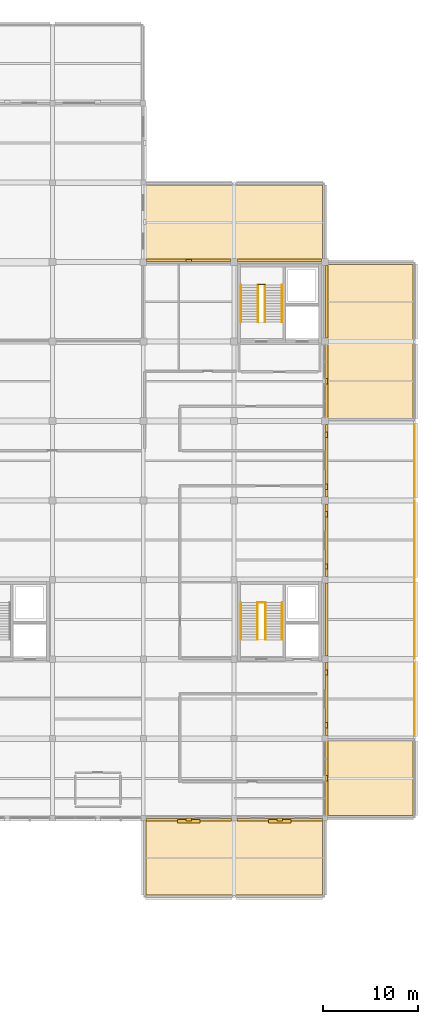
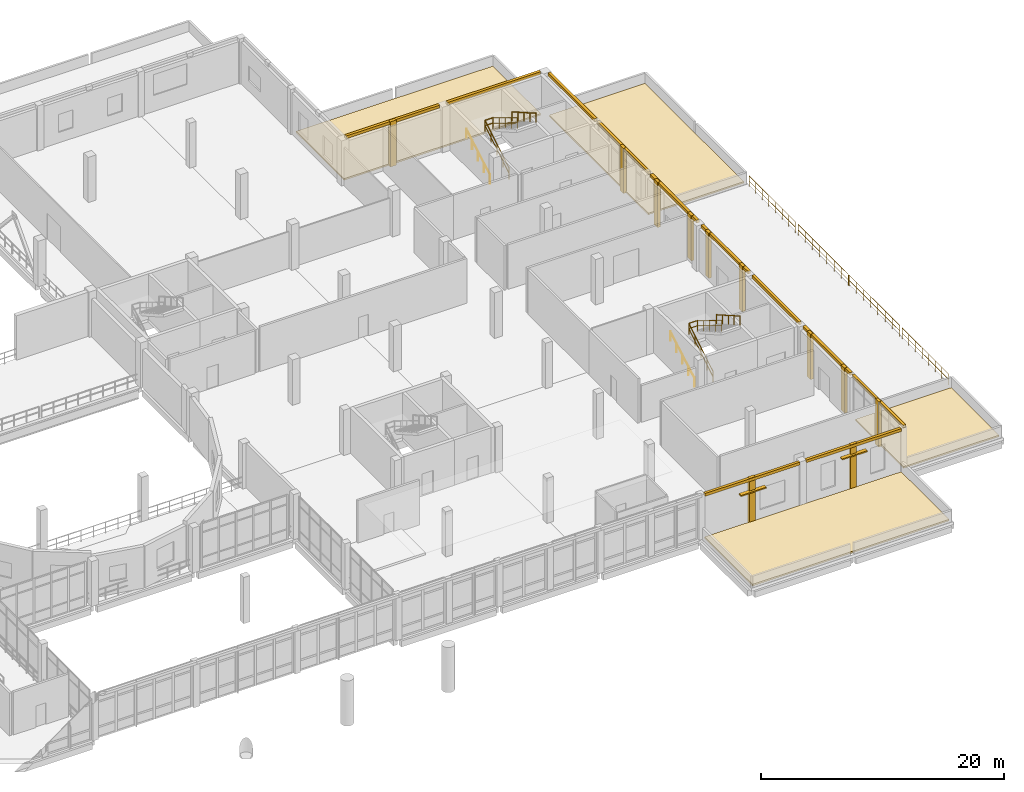
# One storey, part 88 of 88: 26 coverings, 14 railings, 2 shading devices.
"""IFC4 building model written with IfcOpenShell, lengths in metres."""

import ifcopenshell
import ifcopenshell.guid

model = None  # the IFC model being written
_history = None  # IfcOwnerHistory: only IFC2X3 demands one
_inside = {}  # id of a spatial element -> (the spatial element, [elements in it])
_under = {}  # id of a project, library or spatial element -> (it, [spatial elements below it])
_declared = {}  # id of a project -> (the project, [libraries it declares])
_typed = {}  # id of a type object -> (the type object, [elements of that type])
_made_of = {}  # id of a material, layer set ... -> (it, [elements and type objects made of it])


def new_model(schema):
    """Start an empty IFC model of exactly this schema.

    Asked for "IFC4X3", IfcOpenShell would pick the latest addendum, in which some entities
    have other attributes; the version numbers below select the first issue.
    IFC2X3 requires an IfcOwnerHistory on every rooted entity: one is made here for all.
    """
    global model, _history
    if schema == "IFC4X3":
        model = ifcopenshell.file(schema_version=(4, 3, 0, 0))
    else:
        model = ifcopenshell.file(schema=schema)
    _inside.clear()
    _under.clear()
    _declared.clear()
    _typed.clear()
    _made_of.clear()
    _history = None
    if model.schema == "IFC2X3":
        org = make("IfcOrganization", Name="unknown")
        user = make(
            "IfcPersonAndOrganization",
            ThePerson=make("IfcPerson", FamilyName="unknown"),
            TheOrganization=org,
        )
        app = make(
            "IfcApplication",
            ApplicationDeveloper=org,
            Version="unknown",
            ApplicationFullName="unknown",
            ApplicationIdentifier="unknown",
        )
        _history = make(
            "IfcOwnerHistory",
            OwningUser=user,
            OwningApplication=app,
            ChangeAction="ADDED",
            CreationDate=0,
        )
    return model


def make(cls, **values):
    """One entity of the class cls with the attributes given. An attribute that is None is left unset."""
    return model.create_entity(
        cls, **{name: value for name, value in values.items() if value is not None}
    )


def rooted(cls, **values):
    """An entity with a GlobalId (a new one), such as an element, a storey or a relation."""
    return make(cls, GlobalId=ifcopenshell.guid.new(), OwnerHistory=_history, **values)


def si_unit(unit_type, name, prefix=None):
    """IfcSIUnit, for example si_unit("LENGTHUNIT", "METRE", prefix="MILLI")."""
    return make("IfcSIUnit", UnitType=unit_type, Prefix=prefix, Name=name)


def assignment(units):
    """IfcUnitAssignment: the units of a project."""
    return None if units is None else make("IfcUnitAssignment", Units=units)


def point(xyz):
    """IfcCartesianPoint."""
    return None if xyz is None else make("IfcCartesianPoint", Coordinates=xyz)


def direction(xyz):
    """IfcDirection."""
    return None if xyz is None else make("IfcDirection", DirectionRatios=xyz)


def frame(location, z_axis=None, x_axis=None):
    """IfcAxis2Placement3D, a coordinate frame: its origin and axes. An axis left out is left unset."""
    return make(
        "IfcAxis2Placement3D",
        Location=point(location),
        Axis=direction(z_axis),
        RefDirection=direction(x_axis),
    )


def frame_2d(location, x_axis=None):
    """IfcAxis2Placement2D, a coordinate frame in the plane: its origin and x axis."""
    return make(
        "IfcAxis2Placement2D", Location=point(location), RefDirection=direction(x_axis)
    )


def origin():
    """The frame at (0, 0, 0) with its axes left unset."""
    return frame((0.0, 0.0, 0.0))


def origin_2d():
    """The frame at (0, 0) in the plane with its x axis left unset."""
    return frame_2d((0.0, 0.0))


def place(relative_to, where):
    """IfcLocalPlacement: puts the frame where relative to a parent placement (None: the world)."""
    return make(
        "IfcLocalPlacement", PlacementRelTo=relative_to, RelativePlacement=where
    )


def context(
    kind, dimensions, precision=None, world=None, true_north=None, identifier=None
):
    """IfcGeometricRepresentationContext, for example the 3D "Model" context."""
    return make(
        "IfcGeometricRepresentationContext",
        ContextIdentifier=identifier,
        ContextType=kind,
        CoordinateSpaceDimension=dimensions,
        Precision=precision,
        WorldCoordinateSystem=world,
        TrueNorth=true_north,
    )


def subcontext(parent, identifier, kind, view, scale=None):
    """IfcGeometricRepresentationSubContext, for example "Body" below "Model"."""
    return make(
        "IfcGeometricRepresentationSubContext",
        ContextIdentifier=identifier,
        ContextType=kind,
        ParentContext=parent,
        TargetScale=scale,
        TargetView=view,
    )


def project(units=None, contexts=None):
    """IfcProject with its units and contexts."""
    return rooted(
        "IfcProject",
        Name="project",
        RepresentationContexts=contexts,
        UnitsInContext=assignment(units),
    )


def spatial(cls, under=None, at=None, **own):
    """A site, building, storey or space (cls), placed at a placement, below another one or the project."""
    s = rooted(cls, ObjectPlacement=at, **own)
    if under is not None:
        _under.setdefault(under.id(), (under, []))[1].append(s)
    return s


def polyline(points):
    """IfcPolyline through the points."""
    return make("IfcPolyline", Points=[point(p) for p in points])


def profile(cls, at=None, kind="AREA", **sizes):
    """A parametric profile (cls). Its sizes go by their IFC names, for example OverallWidth=200.0."""
    return make(cls, ProfileType=kind, Position=at, **sizes)


def rectangle(**sizes):
    """IfcRectangleProfileDef."""
    return profile("IfcRectangleProfileDef", **sizes)


def circle(**sizes):
    """IfcCircleProfileDef."""
    return profile("IfcCircleProfileDef", **sizes)


def outline(outer, holes=None, kind="AREA"):
    """IfcArbitraryClosedProfileDef: a profile drawn as a closed curve; with holes, ...WithVoids."""
    if holes is None:
        return make("IfcArbitraryClosedProfileDef", ProfileType=kind, OuterCurve=outer)
    return make(
        "IfcArbitraryProfileDefWithVoids",
        ProfileType=kind,
        OuterCurve=outer,
        InnerCurves=holes,
    )


def extrude(swept, where, along, depth):
    """IfcExtrudedAreaSolid: the profile swept, set in the frame where, extruded along a direction by depth."""
    return make(
        "IfcExtrudedAreaSolid",
        SweptArea=swept,
        Position=where,
        ExtrudedDirection=direction(along),
        Depth=depth,
    )


def shape(context_of_items, identifier, shape_type, items):
    """IfcShapeRepresentation: the items that make up one representation, for example the "Body"."""
    return make(
        "IfcShapeRepresentation",
        ContextOfItems=context_of_items,
        RepresentationIdentifier=identifier,
        RepresentationType=shape_type,
        Items=items,
    )


def material(Name=None, Category=None):
    """IfcMaterial."""
    return make("IfcMaterial", Name=Name, Category=Category)


def layer(
    of_material, thickness, ventilated=None, Name=None, Category=None, Priority=None
):
    """IfcMaterialLayer: one layer of a wall or slab, of a material (None: an air gap)."""
    return make(
        "IfcMaterialLayer",
        Material=of_material,
        LayerThickness=thickness,
        IsVentilated=ventilated,
        Name=Name,
        Category=Category,
        Priority=Priority,
    )


def layer_set(layers, Name=None):
    """IfcMaterialLayerSet."""
    return make("IfcMaterialLayerSet", MaterialLayers=layers, LayerSetName=Name)


def made_of(thing, what):
    """Note that an element or type object is made of a material, layer set ...; save() writes the relation."""
    if what is not None:
        _made_of.setdefault(what.id(), (what, []))[1].append(thing)
    return thing


def type_object(cls, material=None, **own):
    """A type object (cls), such as IfcWallType, which elements share."""
    return made_of(rooted(cls, **own), material)


def element(
    cls,
    number,
    at=None,
    inside=None,
    cuts=None,
    type_object=None,
    material=None,
    context=None,
    identifier="Body",
    shape_type=None,
    held_by="IfcProductDefinitionShape",
    body=None,
    shapes=None,
    **own,
):
    """One element of the class cls, such as IfcWall. Its Tag is "e" and its number.

    at: its placement. inside: the storey or other place that contains it. cuts: it is an
    opening in that element (IfcRelVoidsElement). A single representation is given by context,
    identifier, shape_type and body (its items); several are given by shapes. held_by: the class
    of the entity that holds the representations. save() writes the other relations.
    """
    e = rooted(cls, Tag="e%d" % number, ObjectPlacement=at, **own)
    if body is not None:
        shapes = [shape(context, identifier, shape_type, body)]
    if shapes is not None:
        e.Representation = make(held_by, Representations=shapes)
    if inside is not None:
        _inside.setdefault(inside.id(), (inside, []))[1].append(e)
    if cuts is not None:
        rooted(
            "IfcRelVoidsElement", RelatingBuildingElement=cuts, RelatedOpeningElement=e
        )
    if type_object is not None:
        _typed.setdefault(type_object.id(), (type_object, []))[1].append(e)
    return made_of(e, material)


def aggregate(whole, parts):
    """IfcRelAggregates: a whole, such as a stair, and the parts it consists of."""
    return rooted("IfcRelAggregates", RelatingObject=whole, RelatedObjects=parts)


def save(model, path):
    """Write the relations noted so far, then the file.

    IfcRelAggregates (storeys below a building ...), IfcRelContainedInSpatialStructure (elements
    in a storey), IfcRelDefinesByType, IfcRelAssociatesMaterial and IfcRelDeclares: one each for
    every whole, place, type object, material and project.
    """
    for whole, parts in _under.values():
        aggregate(whole, parts)
    for where, things in _inside.values():
        rooted(
            "IfcRelContainedInSpatialStructure",
            RelatedElements=things,
            RelatingStructure=where,
        )
    for kind, things in _typed.values():
        rooted("IfcRelDefinesByType", RelatedObjects=things, RelatingType=kind)
    for what, things in _made_of.values():
        rooted("IfcRelAssociatesMaterial", RelatedObjects=things, RelatingMaterial=what)
    for by, libraries in _declared.values():
        rooted("IfcRelDeclares", RelatingContext=by, RelatedDefinitions=libraries)
    model.write(path)


model = new_model("IFC4")

# Units and contexts
model_context = context("Model", 3, precision=1e-05, world=origin(), true_north=direction((0.0, 1.0)))
body_context = subcontext(model_context, "Body", "Model", "MODEL_VIEW")
ifc_project = project(units=[si_unit("LENGTHUNIT", "METRE"), si_unit("AREAUNIT", "SQUARE_METRE"), si_unit("VOLUMEUNIT", "CUBIC_METRE"), si_unit("PLANEANGLEUNIT", "RADIAN"), si_unit("MASSUNIT", "GRAM", prefix="KILO")], contexts=[model_context])

# Site, building, storey
site_placement = place(None, origin())
site = spatial("IfcSite", under=ifc_project, at=site_placement, CompositionType="ELEMENT")
building_placement = place(site_placement, origin())
building = spatial("IfcBuilding", under=site, at=building_placement, Name="Lornevale Opera House", CompositionType="ELEMENT")
storey_placement = place(building_placement, frame((0.0, 0.0, 10.199951171875)))
storey = spatial("IfcBuildingStorey", under=building, at=storey_placement, Name="L03", CompositionType="ELEMENT", Elevation=10.199951171875)

# Coverings
ifc_material_1 = material(Name="Vegetated Extensive Green Roof Assembly")
ifc_layer_1 = layer(ifc_material_1, 0.159912109375)
ifc_layer_set_1 = layer_set([ifc_layer_1], Name="Vegetated Extensive Green Roof Assembly")
covering_type_1 = type_object("IfcCoveringType", Name="Chapter 492 Green Roof Covering", PredefinedType="ROOFING", material=ifc_layer_set_1)
covering_1_placement = place(storey_placement, origin())
element("IfcCovering", 1, at=covering_1_placement, inside=storey, type_object=covering_type_1, Name="Chapter 492 Green Roof Covering 0563", PredefinedType="ROOFING", context=body_context, shape_type="SweptSolid", body=[
    extrude(outline(polyline([(143.739990234375, 16.5400390625), (143.739990234375, 8.659912109375), (125.06005859375, 8.659912109375), (125.06005859375, 16.5400390625), (143.739990234375, 16.5400390625)])), origin(), (0.0, 0.0, 1.0), 0.16015625),
])
covering_2_placement = place(storey_placement, origin())
element("IfcCovering", 2, at=covering_2_placement, inside=storey, type_object=covering_type_1, Name="Chapter 492 Green Roof Covering 0564", PredefinedType="ROOFING", context=body_context, shape_type="SweptSolid", body=[
    extrude(outline(polyline([(144.260009765625, 17.06005859375), (144.260009765625, 24.93994140625), (153.340087890625, 24.93994140625), (153.340087890625, 17.06005859375), (144.260009765625, 17.06005859375)])), origin(), (0.0, 0.0, 1.0), 0.16015625),
])
covering_3_placement = place(storey_placement, origin())
element("IfcCovering", 3, at=covering_3_placement, inside=storey, type_object=covering_type_1, Name="Chapter 492 Green Roof Covering 0565", PredefinedType="ROOFING", context=body_context, shape_type="SweptSolid", body=[
    extrude(outline(polyline([(144.260009765625, 59.06005859375), (144.260009765625, 75.340087890625), (153.340087890625, 75.340087890625), (153.340087890625, 59.06005859375), (144.260009765625, 59.06005859375)])), origin(), (0.0, 0.0, 1.0), 0.16015625),
])
covering_4_placement = place(storey_placement, origin())
element("IfcCovering", 4, at=covering_4_placement, inside=storey, type_object=covering_type_1, Name="Chapter 492 Green Roof Covering 0566", PredefinedType="ROOFING", context=body_context, shape_type="SweptSolid", body=[
    extrude(outline(polyline([(143.739990234375, 75.860107421875), (125.06005859375, 75.860107421875), (125.06005859375, 83.739990234375), (143.739990234375, 83.739990234375), (143.739990234375, 75.860107421875)])), origin(), (0.0, 0.0, 1.0), 0.16015625),
])
ifc_material_2 = material(Name="Precast Concrete 40 MPa (CSA A23.1 C-1)", Category="concrete")
ifc_layer_2 = layer(ifc_material_2, 0.260009765625)
ifc_layer_set_2 = layer_set([ifc_layer_2], Name="Precast Concrete 40 MPa (CSA A23.1 C-1)")
covering_type_2 = type_object("IfcCoveringType", Name="Postmodern Sandstone Pilaster Rib", PredefinedType="CLADDING", material=ifc_layer_set_2)
covering_5_placement = place(storey_placement, origin())
element("IfcCovering", 5, at=covering_5_placement, inside=storey, type_object=covering_type_2, Name="Postmodern Sandstone Pilaster 0348", PredefinedType="CLADDING", context=body_context, shape_type="SweptSolid", body=[
    extrude(outline(polyline([(129.866943359375, 16.800048828125), (129.306884765625, 16.800048828125), (129.306884765625, 16.52001953125), (129.866943359375, 16.52001953125), (129.866943359375, 16.800048828125)])), origin(), (0.0, 0.0, 1.0), 4.5400390625),
])
covering_6_placement = place(storey_placement, origin())
element("IfcCovering", 6, at=covering_6_placement, inside=storey, type_object=covering_type_2, Name="Postmodern Sandstone Pilaster 0350", PredefinedType="CLADDING", context=body_context, shape_type="SweptSolid", body=[
    extrude(outline(polyline([(129.30810546875, 75.60009765625), (129.867919921875, 75.60009765625), (129.867919921875, 75.8798828125), (129.30810546875, 75.8798828125), (129.30810546875, 75.60009765625)])), origin(), (0.0, 0.0, 1.0), 4.5400390625),
])
covering_7_placement = place(storey_placement, origin())
element("IfcCovering", 7, at=covering_7_placement, inside=storey, type_object=covering_type_2, Name="Postmodern Sandstone Pilaster 0352", PredefinedType="CLADDING", context=body_context, shape_type="SweptSolid", body=[
    extrude(outline(polyline([(139.492919921875, 16.800048828125), (138.93310546875, 16.800048828125), (138.93310546875, 16.52001953125), (139.492919921875, 16.52001953125), (139.492919921875, 16.800048828125)])), origin(), (0.0, 0.0, 1.0), 4.5400390625),
])
covering_8_placement = place(storey_placement, origin())
element("IfcCovering", 8, at=covering_8_placement, inside=storey, type_object=covering_type_2, Name="Postmodern Sandstone Mullion Pier 0354", PredefinedType="CLADDING", context=body_context, shape_type="SweptSolid", body=[
    extrude(outline(polyline([(144.0, 21.280029296875), (144.0, 20.719970703125), (144.280029296875, 20.719970703125), (144.280029296875, 21.280029296875), (144.0, 21.280029296875)])), origin(), (0.0, 0.0, 1.0), 4.5400390625),
])
covering_9_placement = place(storey_placement, origin())
element("IfcCovering", 9, at=covering_9_placement, inside=storey, type_object=covering_type_2, Name="Postmodern Sandstone Pilaster 0356", PredefinedType="CLADDING", context=body_context, shape_type="SweptSolid", body=[
    extrude(outline(polyline([(144.0, 32.469970703125), (144.0, 31.909912109375), (144.280029296875, 31.909912109375), (144.280029296875, 32.469970703125), (144.0, 32.469970703125)])), origin(), (0.0, 0.0, 1.0), 4.5400390625),
])
covering_10_placement = place(storey_placement, origin())
element("IfcCovering", 10, at=covering_10_placement, inside=storey, type_object=covering_type_2, Name="Postmodern Sandstone Pilaster 0357", PredefinedType="CLADDING", context=body_context, shape_type="SweptSolid", body=[
    extrude(outline(polyline([(144.0, 26.889892578125), (144.0, 26.330078125), (144.280029296875, 26.330078125), (144.280029296875, 26.889892578125), (144.0, 26.889892578125)])), origin(), (0.0, 0.0, 1.0), 4.5400390625),
])
covering_11_placement = place(storey_placement, origin())
element("IfcCovering", 11, at=covering_11_placement, inside=storey, type_object=covering_type_2, Name="Postmodern Sandstone Pilaster 0360", PredefinedType="CLADDING", context=body_context, shape_type="SweptSolid", body=[
    extrude(outline(polyline([(144.0, 49.22705078125), (144.0, 48.6669921875), (144.280029296875, 48.6669921875), (144.280029296875, 49.22705078125), (144.0, 49.22705078125)])), origin(), (0.0, 0.0, 1.0), 4.5400390625),
])
covering_12_placement = place(storey_placement, origin())
element("IfcCovering", 12, at=covering_12_placement, inside=storey, type_object=covering_type_2, Name="Postmodern Sandstone Pilaster 0361", PredefinedType="CLADDING", context=body_context, shape_type="SweptSolid", body=[
    extrude(outline(polyline([(144.0, 43.68310546875), (144.0, 43.123046875), (144.280029296875, 43.123046875), (144.280029296875, 43.68310546875), (144.0, 43.68310546875)])), origin(), (0.0, 0.0, 1.0), 4.5400390625),
])
covering_13_placement = place(storey_placement, origin())
element("IfcCovering", 13, at=covering_13_placement, inside=storey, type_object=covering_type_2, Name="Postmodern Sandstone Pilaster 0363", PredefinedType="CLADDING", context=body_context, shape_type="SweptSolid", body=[
    extrude(outline(polyline([(144.0, 57.634033203125), (144.0, 57.073974609375), (144.280029296875, 57.073974609375), (144.280029296875, 57.634033203125), (144.0, 57.634033203125)])), origin(), (0.0, 0.0, 1.0), 4.5400390625),
])
covering_14_placement = place(storey_placement, origin())
element("IfcCovering", 14, at=covering_14_placement, inside=storey, type_object=covering_type_2, Name="Postmodern Sandstone Pilaster 0364", PredefinedType="CLADDING", context=body_context, shape_type="SweptSolid", body=[
    extrude(outline(polyline([(144.0, 52.1259765625), (144.0, 51.56591796875), (144.280029296875, 51.56591796875), (144.280029296875, 52.1259765625), (144.0, 52.1259765625)])), origin(), (0.0, 0.0, 1.0), 4.5400390625),
])
covering_15_placement = place(storey_placement, origin())
element("IfcCovering", 15, at=covering_15_placement, inside=storey, type_object=covering_type_2, Name="Postmodern Sandstone Mullion Pier 0366", PredefinedType="CLADDING", context=body_context, shape_type="SweptSolid", body=[
    extrude(outline(polyline([(144.0, 63.280029296875), (144.0, 62.719970703125), (144.280029296875, 62.719970703125), (144.280029296875, 63.280029296875), (144.0, 63.280029296875)])), origin(), (0.0, 0.0, 1.0), 4.5400390625),
])

# Shading devices
ifc_material_3 = material(Name="Architectural Bronze Solar Louvre Alloy", Category="metal")
ifc_layer_3 = layer(ifc_material_3, 0.1201171875)
ifc_layer_set_3 = layer_set([ifc_layer_3], Name="Architectural Bronze Solar Louvre Alloy")
shading_device_type = type_object("IfcShadingDeviceType", Name="Postmodern Solar Brise-Soleil", PredefinedType="JALOUSIE", material=ifc_layer_set_3)
for number, where, z_axis, x_axis, name in (
    (16, (129.587890625, 16.488037109375, 3.169921875), (0.0, 0.0, 1.0), (1.0, 0.0, 0.0), "Postmodern Solar Brise-Soleil SH-003"),
    (17, (139.2119140625, 16.488037109375, 3.469970703125), (0.0, 0.0, 1.0), (1.0, 0.0, 0.0), "Postmodern Solar Brise-Soleil SH-004"),
):
    element("IfcShadingDevice", number, at=place(storey_placement, frame(where, z_axis=z_axis, x_axis=x_axis)), inside=storey, type_object=shading_device_type, Name=name, PredefinedType="JALOUSIE", context=body_context, shape_type="SweptSolid", body=[
        extrude(rectangle(XDim=2.39990234375, YDim=0.360107421875, at=origin_2d()), origin(), (0.0, 0.0, 1.0), 0.1201171875),
    ])

# Coverings
ifc_material_4 = material(Name="Queenston Buff Limestone Ashlar Masonry (25 MPa)", Category="masonry")
ifc_layer_4 = layer(ifc_material_4, 0.1201171875)
ifc_layer_set_4 = layer_set([ifc_layer_4], Name="Queenston Buff Limestone Ashlar Masonry (25 MPa)")
covering_type_3 = type_object("IfcCoveringType", Name="Precast Limestone Cornice Band", PredefinedType="CLADDING", material=ifc_layer_set_4)
covering_16_placement = place(storey_placement, frame((0.0, 0.0, 4.260009765625)))
element("IfcCovering", 18, at=covering_16_placement, inside=storey, type_object=covering_type_3, Name="Precast Limestone Cornice Band 0349", PredefinedType="CLADDING", context=body_context, shape_type="SweptSolid", body=[
    extrude(outline(polyline([(134.10009765625, 16.739990234375), (125.074951171875, 16.739990234375), (125.074951171875, 16.47998046875), (134.10009765625, 16.47998046875), (134.10009765625, 16.739990234375)])), origin(), (0.0, 0.0, 1.0), 0.280029296875),
])
covering_17_placement = place(storey_placement, frame((0.0, 0.0, 4.260009765625)))
element("IfcCovering", 19, at=covering_17_placement, inside=storey, type_object=covering_type_3, Name="Precast Limestone Cornice Band 0351", PredefinedType="CLADDING", context=body_context, shape_type="SweptSolid", body=[
    extrude(outline(polyline([(125.14990234375, 75.659912109375), (134.02490234375, 75.659912109375), (134.02490234375, 75.919921875), (125.14990234375, 75.919921875), (125.14990234375, 75.659912109375)])), origin(), (0.0, 0.0, 1.0), 0.280029296875),
])
covering_18_placement = place(storey_placement, frame((0.0, 0.0, 4.260009765625)))
element("IfcCovering", 20, at=covering_18_placement, inside=storey, type_object=covering_type_3, Name="Precast Limestone Cornice Band 0353", PredefinedType="CLADDING", context=body_context, shape_type="SweptSolid", body=[
    extrude(outline(polyline([(143.72509765625, 16.739990234375), (134.699951171875, 16.739990234375), (134.699951171875, 16.47998046875), (143.72509765625, 16.47998046875), (143.72509765625, 16.739990234375)])), origin(), (0.0, 0.0, 1.0), 0.280029296875),
])
covering_19_placement = place(storey_placement, frame((0.0, 0.0, 4.280029296875)))
element("IfcCovering", 21, at=covering_19_placement, inside=storey, type_object=covering_type_3, Name="Precast Limestone Cornice Band 0355", PredefinedType="CLADDING", context=body_context, shape_type="SweptSolid", body=[
    extrude(outline(polyline([(144.080078125, 25.199951171875), (144.080078125, 16.800048828125), (144.320068359375, 16.800048828125), (144.320068359375, 25.199951171875), (144.080078125, 25.199951171875)])), origin(), (0.0, 0.0, 1.0), 0.260009765625),
])
covering_20_placement = place(storey_placement, frame((0.0, 0.0, 4.260009765625)))
element("IfcCovering", 22, at=covering_20_placement, inside=storey, type_object=covering_type_3, Name="Precast Limestone Cornice Band 0358", PredefinedType="CLADDING", context=body_context, shape_type="SweptSolid", body=[
    extrude(outline(polyline([(144.06005859375, 33.27490234375), (144.06005859375, 25.52490234375), (144.320068359375, 25.52490234375), (144.320068359375, 33.27490234375), (144.06005859375, 33.27490234375)])), origin(), (0.0, 0.0, 1.0), 0.280029296875),
])
covering_21_placement = place(storey_placement, frame((0.0, 0.0, 4.260009765625)))
element("IfcCovering", 23, at=covering_21_placement, inside=storey, type_object=covering_type_3, Name="Precast Limestone Cornice Band 0359", PredefinedType="CLADDING", context=body_context, shape_type="SweptSolid", body=[
    extrude(outline(polyline([(144.06005859375, 41.675048828125), (144.06005859375, 33.925048828125), (144.320068359375, 33.925048828125), (144.320068359375, 41.675048828125), (144.06005859375, 41.675048828125)])), origin(), (0.0, 0.0, 1.0), 0.280029296875),
])
covering_22_placement = place(storey_placement, frame((0.0, 0.0, 4.260009765625)))
element("IfcCovering", 24, at=covering_22_placement, inside=storey, type_object=covering_type_3, Name="Precast Limestone Cornice Band 0362", PredefinedType="CLADDING", context=body_context, shape_type="SweptSolid", body=[
    extrude(outline(polyline([(144.06005859375, 50.02490234375), (144.06005859375, 42.324951171875), (144.320068359375, 42.324951171875), (144.320068359375, 50.02490234375), (144.06005859375, 50.02490234375)])), origin(), (0.0, 0.0, 1.0), 0.280029296875),
])
covering_23_placement = place(storey_placement, frame((0.0, 0.0, 4.260009765625)))
element("IfcCovering", 25, at=covering_23_placement, inside=storey, type_object=covering_type_3, Name="Precast Limestone Cornice Band 0365", PredefinedType="CLADDING", context=body_context, shape_type="SweptSolid", body=[
    extrude(outline(polyline([(144.06005859375, 58.425048828125), (144.06005859375, 50.77490234375), (144.320068359375, 50.77490234375), (144.320068359375, 58.425048828125), (144.06005859375, 58.425048828125)])), origin(), (0.0, 0.0, 1.0), 0.280029296875),
])
covering_24_placement = place(storey_placement, frame((0.0, 0.0, 4.280029296875)))
element("IfcCovering", 26, at=covering_24_placement, inside=storey, type_object=covering_type_3, Name="Precast Limestone Cornice Band 0367", PredefinedType="CLADDING", context=body_context, shape_type="SweptSolid", body=[
    extrude(outline(polyline([(144.080078125, 67.199951171875), (144.080078125, 58.800048828125), (144.320068359375, 58.800048828125), (144.320068359375, 67.199951171875), (144.080078125, 67.199951171875)])), origin(), (0.0, 0.0, 1.0), 0.260009765625),
])
covering_25_placement = place(storey_placement, frame((0.0, 0.0, 4.260009765625)))
element("IfcCovering", 27, at=covering_25_placement, inside=storey, type_object=covering_type_3, Name="Precast Limestone Cornice Band 0368", PredefinedType="CLADDING", context=body_context, shape_type="SweptSolid", body=[
    extrude(outline(polyline([(134.77490234375, 75.659912109375), (143.625, 75.659912109375), (143.625, 75.919921875), (134.77490234375, 75.919921875), (134.77490234375, 75.659912109375)])), origin(), (0.0, 0.0, 1.0), 0.280029296875),
])
covering_26_placement = place(storey_placement, frame((0.0, 0.0, 4.260009765625)))
element("IfcCovering", 28, at=covering_26_placement, inside=storey, type_object=covering_type_3, Name="Precast Limestone Cornice Band 0369", PredefinedType="CLADDING", context=body_context, shape_type="SweptSolid", body=[
    extrude(outline(polyline([(144.06005859375, 75.22509765625), (144.06005859375, 67.574951171875), (144.320068359375, 67.574951171875), (144.320068359375, 75.22509765625), (144.06005859375, 75.22509765625)])), origin(), (0.0, 0.0, 1.0), 0.280029296875),
])

# Railings
ifc_material_5 = material(Name="Structural Steel CSA G40.21 Grade 350W (350 MPa)", Category="steel")
ifc_layer_5 = layer(ifc_material_5, 0.050048828125)
ifc_layer_set_5 = layer_set([ifc_layer_5], Name="Structural Steel CSA G40.21 Grade 350W (350 MPa)")
railing_type_1 = type_object("IfcRailingType", Name="Stair Well Guardrail 1100", PredefinedType="GUARDRAIL", material=ifc_layer_set_5)
railing_1_placement = place(storey_placement, frame((136.919921875, 69.260009765625, 0.0)))
element("IfcRailing", 29, at=railing_1_placement, inside=storey, type_object=railing_type_1, Name="ST-32 Inner Well Guard F1", PredefinedType="GUARDRAIL", context=body_context, shape_type="SweptSolid", body=[
    extrude(circle(Radius=0.02392578125, at=origin_2d()), frame((0.0, 0.0, 1.076171875), z_axis=(0.0, 0.852832477147, 0.522184609045), x_axis=(-1.0, 0.0, 0.0)), (0.0, 0.0, 1.0), 4.596435546875),
    extrude(circle(Radius=0.02392578125, at=origin_2d()), frame((0.0, 0.0, 0.550048828125), z_axis=(0.0, 0.852832477147, 0.522184609045), x_axis=(-1.0, 0.0, 0.0)), (0.0, 0.0, 1.0), 4.596435546875),
    extrude(circle(Radius=0.02099609375, at=origin_2d()), origin(), (0.0, 0.0, 1.0), 1.052001953125),
    extrude(circle(Radius=0.02099609375, at=origin_2d()), frame((0.0, 0.97998046875, 0.60009765625)), (0.0, 0.0, 1.0), 1.052001953125),
    extrude(circle(Radius=0.02099609375, at=origin_2d()), frame((0.0, 1.9599609375, 1.2001953125)), (0.0, 0.0, 1.0), 1.052001953125),
    extrude(circle(Radius=0.02099609375, at=origin_2d()), frame((0.0, 2.93994140625, 1.800048828125)), (0.0, 0.0, 1.0), 1.052001953125),
    extrude(circle(Radius=0.02099609375, at=origin_2d()), frame((0.0, 3.919921875, 2.400146484375)), (0.0, 0.0, 1.0), 1.052001953125),
])
railing_2_placement = place(storey_placement, frame((137.679931640625, 73.179931640625, 2.400146484375)))
element("IfcRailing", 30, at=railing_2_placement, inside=storey, type_object=railing_type_1, Name="ST-32 Inner Well Guard F2", PredefinedType="GUARDRAIL", context=body_context, shape_type="SweptSolid", body=[
    extrude(circle(Radius=0.02392578125, at=origin_2d()), frame((0.0, 0.0, 1.076171875), z_axis=(0.0, -0.852856131449, 0.522145974847), x_axis=(1.0, 0.0, 0.0)), (0.0, 0.0, 1.0), 4.59619140625),
    extrude(circle(Radius=0.02392578125, at=origin_2d()), frame((0.0, 0.0, 0.550048828125), z_axis=(0.0, -0.852856131449, 0.522145974847), x_axis=(1.0, 0.0, 0.0)), (0.0, 0.0, 1.0), 4.59619140625),
    extrude(circle(Radius=0.02099609375, at=origin_2d()), origin(), (0.0, 0.0, 1.0), 1.052001953125),
    extrude(circle(Radius=0.02099609375, at=origin_2d()), frame((0.0, -0.97998046875, 0.60009765625)), (0.0, 0.0, 1.0), 1.052001953125),
    extrude(circle(Radius=0.02099609375, at=origin_2d()), frame((0.0, -1.9599609375, 1.199951171875)), (0.0, 0.0, 1.0), 1.052001953125),
    extrude(circle(Radius=0.02099609375, at=origin_2d()), frame((0.0, -2.93994140625, 1.7998046875)), (0.0, 0.0, 1.0), 1.052001953125),
    extrude(circle(Radius=0.02099609375, at=origin_2d()), frame((0.0, -3.919921875, 2.39990234375)), (0.0, 0.0, 1.0), 1.052001953125),
])
railing_3_placement = place(storey_placement, frame((136.919921875, 73.2099609375, 2.400146484375)))
element("IfcRailing", 31, at=railing_3_placement, inside=storey, type_object=railing_type_1, Name="ST-32 Half-Landing Slot Guard", PredefinedType="GUARDRAIL", context=body_context, shape_type="SweptSolid", body=[
    extrude(circle(Radius=0.02392578125, at=origin_2d()), frame((0.0, 0.0, 1.076171875), z_axis=(1.0, 0.0, 0.0), x_axis=(0.0, 1.0, 0.0)), (0.0, 0.0, 1.0), 0.760009765625),
    extrude(circle(Radius=0.02392578125, at=origin_2d()), frame((0.0, 0.0, 0.550048828125), z_axis=(1.0, 0.0, 0.0), x_axis=(0.0, 1.0, 0.0)), (0.0, 0.0, 1.0), 0.760009765625),
    extrude(circle(Radius=0.02099609375, at=origin_2d()), origin(), (0.0, 0.0, 1.0), 1.052001953125),
    extrude(circle(Radius=0.02099609375, at=origin_2d()), frame((0.760009765625, 0.0, 0.0)), (0.0, 0.0, 1.0), 1.052001953125),
])
railing_4_placement = place(storey_placement, frame((136.8798828125, 35.659912109375, 0.0)))
element("IfcRailing", 32, at=railing_4_placement, inside=storey, type_object=railing_type_1, Name="ST-39 Inner Well Guard F1", PredefinedType="GUARDRAIL", context=body_context, shape_type="SweptSolid", body=[
    extrude(circle(Radius=0.02392578125, at=origin_2d()), frame((0.0, 0.0, 1.076171875), z_axis=(0.0, 0.852846959695, 0.522160955394), x_axis=(-1.0, 0.0, 0.0)), (0.0, 0.0, 1.0), 4.5966796875),
    extrude(circle(Radius=0.02392578125, at=origin_2d()), frame((0.0, 0.0, 0.550048828125), z_axis=(0.0, 0.852846959695, 0.522160955394), x_axis=(-1.0, 0.0, 0.0)), (0.0, 0.0, 1.0), 4.5966796875),
    extrude(circle(Radius=0.02099609375, at=origin_2d()), origin(), (0.0, 0.0, 1.0), 1.052001953125),
    extrude(circle(Radius=0.02099609375, at=origin_2d()), frame((0.0, 0.97998046875, 0.60009765625)), (0.0, 0.0, 1.0), 1.052001953125),
    extrude(circle(Radius=0.02099609375, at=origin_2d()), frame((0.0, 1.9599609375, 1.2001953125)), (0.0, 0.0, 1.0), 1.052001953125),
    extrude(circle(Radius=0.02099609375, at=origin_2d()), frame((0.0, 2.940185546875, 1.800048828125)), (0.0, 0.0, 1.0), 1.052001953125),
    extrude(circle(Radius=0.02099609375, at=origin_2d()), frame((0.0, 3.920166015625, 2.400146484375)), (0.0, 0.0, 1.0), 1.052001953125),
])
railing_5_placement = place(storey_placement, frame((137.719970703125, 39.580078125, 2.400146484375)))
element("IfcRailing", 33, at=railing_5_placement, inside=storey, type_object=railing_type_1, Name="ST-39 Inner Well Guard F2", PredefinedType="GUARDRAIL", context=body_context, shape_type="SweptSolid", body=[
    extrude(circle(Radius=0.02392578125, at=origin_2d()), frame((0.0, 0.0, 1.076171875), z_axis=(0.0, -0.852870612257, 0.522122321634), x_axis=(1.0, 0.0, 0.0)), (0.0, 0.0, 1.0), 4.596435546875),
    extrude(circle(Radius=0.02392578125, at=origin_2d()), frame((0.0, 0.0, 0.550048828125), z_axis=(0.0, -0.852870612257, 0.522122321634), x_axis=(1.0, 0.0, 0.0)), (0.0, 0.0, 1.0), 4.596435546875),
    extrude(circle(Radius=0.02099609375, at=origin_2d()), origin(), (0.0, 0.0, 1.0), 1.052001953125),
    extrude(circle(Radius=0.02099609375, at=origin_2d()), frame((0.0, -0.97998046875, 0.60009765625)), (0.0, 0.0, 1.0), 1.052001953125),
    extrude(circle(Radius=0.02099609375, at=origin_2d()), frame((0.0, -1.9599609375, 1.199951171875)), (0.0, 0.0, 1.0), 1.052001953125),
    extrude(circle(Radius=0.02099609375, at=origin_2d()), frame((0.0, -2.940185546875, 1.7998046875)), (0.0, 0.0, 1.0), 1.052001953125),
    extrude(circle(Radius=0.02099609375, at=origin_2d()), frame((0.0, -3.920166015625, 2.39990234375)), (0.0, 0.0, 1.0), 1.052001953125),
])
railing_6_placement = place(storey_placement, frame((136.8798828125, 39.610107421875, 2.400146484375)))
element("IfcRailing", 34, at=railing_6_placement, inside=storey, type_object=railing_type_1, Name="ST-39 Half-Landing Slot Guard", PredefinedType="GUARDRAIL", context=body_context, shape_type="SweptSolid", body=[
    extrude(circle(Radius=0.02392578125, at=origin_2d()), frame((0.0, 0.0, 1.076171875), z_axis=(1.0, 0.0, 0.0), x_axis=(0.0, 1.0, 0.0)), (0.0, 0.0, 1.0), 0.840087890625),
    extrude(circle(Radius=0.02392578125, at=origin_2d()), frame((0.0, 0.0, 0.550048828125), z_axis=(1.0, 0.0, 0.0), x_axis=(0.0, 1.0, 0.0)), (0.0, 0.0, 1.0), 0.840087890625),
    extrude(circle(Radius=0.02099609375, at=origin_2d()), origin(), (0.0, 0.0, 1.0), 1.052001953125),
    extrude(circle(Radius=0.02099609375, at=origin_2d()), frame((0.840087890625, 0.0, 0.0)), (0.0, 0.0, 1.0), 1.052001953125),
])
ifc_layer_6 = layer(ifc_material_5, 0.06005859375)
ifc_layer_set_6 = layer_set([ifc_layer_6], Name="Structural Steel CSA G40.21 Grade 350W (350 MPa)")
railing_type_2 = type_object("IfcRailingType", Name="Terrace Tubular Guardrail 1120", PredefinedType="GUARDRAIL", material=ifc_layer_set_6)
railing_7_placement = place(storey_placement, frame((153.4599609375, 25.580078125, 0.0)))
element("IfcRailing", 35, at=railing_7_placement, inside=storey, type_object=railing_type_2, Name="Terrace Perimeter Guard L03 0344", PredefinedType="GUARDRAIL", context=body_context, shape_type="SweptSolid", body=[
    extrude(circle(Radius=0.02392578125, at=origin_2d()), frame((0.0, 0.0, 1.09619140625), z_axis=(0.0, 1.0, 0.0), x_axis=(-1.0, 0.0, 0.0)), (0.0, 0.0, 1.0), 7.639892578125),
    extrude(circle(Radius=0.02392578125, at=origin_2d()), frame((0.0, 0.0, 0.56005859375), z_axis=(0.0, 1.0, 0.0), x_axis=(-1.0, 0.0, 0.0)), (0.0, 0.0, 1.0), 7.639892578125),
    extrude(circle(Radius=0.02099609375, at=origin_2d()), origin(), (0.0, 0.0, 1.0), 1.072021484375),
    extrude(circle(Radius=0.02099609375, at=origin_2d()), frame((0.0, 1.09130859375, 0.0)), (0.0, 0.0, 1.0), 1.072021484375),
    extrude(circle(Radius=0.02099609375, at=origin_2d()), frame((0.0, 2.182861328125, 0.0)), (0.0, 0.0, 1.0), 1.072021484375),
    extrude(circle(Radius=0.02099609375, at=origin_2d()), frame((0.0, 3.274169921875, 0.0)), (0.0, 0.0, 1.0), 1.072021484375),
    extrude(circle(Radius=0.02099609375, at=origin_2d()), frame((0.0, 4.36572265625, 0.0)), (0.0, 0.0, 1.0), 1.072021484375),
    extrude(circle(Radius=0.02099609375, at=origin_2d()), frame((0.0, 5.45703125, 0.0)), (0.0, 0.0, 1.0), 1.072021484375),
    extrude(circle(Radius=0.02099609375, at=origin_2d()), frame((0.0, 6.548583984375, 0.0)), (0.0, 0.0, 1.0), 1.072021484375),
    extrude(circle(Radius=0.02099609375, at=origin_2d()), frame((0.0, 7.639892578125, 0.0)), (0.0, 0.0, 1.0), 1.072021484375),
])
for number, where, name in (
    (36, (153.4599609375, 33.64990234375, 0.0), "Terrace Perimeter Guard L03 0345"),
    (37, (153.4599609375, 42.050048828125, 0.0), "Terrace Perimeter Guard L03 0346"),
):
    element("IfcRailing", number, at=place(storey_placement, frame(where)), inside=storey, type_object=railing_type_2, Name=name, PredefinedType="GUARDRAIL", context=body_context, shape_type="SweptSolid", body=[
        extrude(circle(Radius=0.02392578125, at=origin_2d()), frame((0.0, 0.0, 1.09619140625), z_axis=(0.0, 1.0, 0.0), x_axis=(-1.0, 0.0, 0.0)), (0.0, 0.0, 1.0), 8.300048828125),
        extrude(circle(Radius=0.02392578125, at=origin_2d()), frame((0.0, 0.0, 0.56005859375), z_axis=(0.0, 1.0, 0.0), x_axis=(-1.0, 0.0, 0.0)), (0.0, 0.0, 1.0), 8.300048828125),
        extrude(circle(Radius=0.02099609375, at=origin_2d()), origin(), (0.0, 0.0, 1.0), 1.072021484375),
        extrude(circle(Radius=0.02099609375, at=origin_2d()), frame((0.0, 1.185791015625, 0.0)), (0.0, 0.0, 1.0), 1.072021484375),
        extrude(circle(Radius=0.02099609375, at=origin_2d()), frame((0.0, 2.371337890625, 0.0)), (0.0, 0.0, 1.0), 1.072021484375),
        extrude(circle(Radius=0.02099609375, at=origin_2d()), frame((0.0, 3.55712890625, 0.0)), (0.0, 0.0, 1.0), 1.072021484375),
        extrude(circle(Radius=0.02099609375, at=origin_2d()), frame((0.0, 4.742919921875, 0.0)), (0.0, 0.0, 1.0), 1.072021484375),
        extrude(circle(Radius=0.02099609375, at=origin_2d()), frame((0.0, 5.9287109375, 0.0)), (0.0, 0.0, 1.0), 1.072021484375),
        extrude(circle(Radius=0.02099609375, at=origin_2d()), frame((0.0, 7.1142578125, 0.0)), (0.0, 0.0, 1.0), 1.072021484375),
        extrude(circle(Radius=0.02099609375, at=origin_2d()), frame((0.0, 8.300048828125, 0.0)), (0.0, 0.0, 1.0), 1.072021484375),
    ])
railing_8_placement = place(storey_placement, frame((153.4599609375, 50.780029296875, 0.0)))
element("IfcRailing", 38, at=railing_8_placement, inside=storey, type_object=railing_type_2, Name="Terrace Perimeter Guard L03 0347", PredefinedType="GUARDRAIL", context=body_context, shape_type="SweptSolid", body=[
    extrude(circle(Radius=0.02392578125, at=origin_2d()), frame((0.0, 0.0, 1.09619140625), z_axis=(0.0, 1.0, 0.0), x_axis=(-1.0, 0.0, 0.0)), (0.0, 0.0, 1.0), 7.639892578125),
    extrude(circle(Radius=0.02392578125, at=origin_2d()), frame((0.0, 0.0, 0.56005859375), z_axis=(0.0, 1.0, 0.0), x_axis=(-1.0, 0.0, 0.0)), (0.0, 0.0, 1.0), 7.639892578125),
    extrude(circle(Radius=0.02099609375, at=origin_2d()), origin(), (0.0, 0.0, 1.0), 1.072021484375),
    extrude(circle(Radius=0.02099609375, at=origin_2d()), frame((0.0, 1.09130859375, 0.0)), (0.0, 0.0, 1.0), 1.072021484375),
    extrude(circle(Radius=0.02099609375, at=origin_2d()), frame((0.0, 2.182861328125, 0.0)), (0.0, 0.0, 1.0), 1.072021484375),
    extrude(circle(Radius=0.02099609375, at=origin_2d()), frame((0.0, 3.274169921875, 0.0)), (0.0, 0.0, 1.0), 1.072021484375),
    extrude(circle(Radius=0.02099609375, at=origin_2d()), frame((0.0, 4.36572265625, 0.0)), (0.0, 0.0, 1.0), 1.072021484375),
    extrude(circle(Radius=0.02099609375, at=origin_2d()), frame((0.0, 5.45703125, 0.0)), (0.0, 0.0, 1.0), 1.072021484375),
    extrude(circle(Radius=0.02099609375, at=origin_2d()), frame((0.0, 6.548583984375, 0.0)), (0.0, 0.0, 1.0), 1.072021484375),
    extrude(circle(Radius=0.02099609375, at=origin_2d()), frame((0.0, 7.639892578125, 0.0)), (0.0, 0.0, 1.0), 1.072021484375),
])
ifc_layer_7 = layer(ifc_material_5, 0.048095703125)
ifc_layer_set_7 = layer_set([ifc_layer_7], Name="Structural Steel CSA G40.21 Grade 350W (350 MPa)")
railing_type_3 = type_object("IfcRailingType", Name="Tubular Stair Handrail 915", PredefinedType="HANDRAIL", material=ifc_layer_set_7)
railing_9_placement = place(storey_placement, frame((135.1201171875, 69.260009765625, 0.1630859375)))
element("IfcRailing", 39, at=railing_9_placement, inside=storey, type_object=railing_type_3, Name="ST-32 Outer Handrail F1", PredefinedType="HANDRAIL", context=body_context, shape_type="SweptSolid", body=[
    extrude(circle(Radius=0.02392578125, at=origin_2d()), frame((0.0, 0.0, 0.89111328125), z_axis=(0.0, 0.868239814368, 0.496144761885), x_axis=(-1.0, 0.0, 0.0)), (0.0, 0.0, 1.0), 4.514892578125),
    extrude(circle(Radius=0.02099609375, at=origin_2d()), origin(), (0.0, 0.0, 1.0), 0.866943359375),
    extrude(circle(Radius=0.02099609375, at=origin_2d()), frame((0.0, 0.97998046875, 0.56005859375)), (0.0, 0.0, 1.0), 0.866943359375),
    extrude(circle(Radius=0.02099609375, at=origin_2d()), frame((0.0, 1.9599609375, 1.1201171875)), (0.0, 0.0, 1.0), 0.866943359375),
    extrude(circle(Radius=0.02099609375, at=origin_2d()), frame((0.0, 2.93994140625, 1.679931640625)), (0.0, 0.0, 1.0), 0.866943359375),
    extrude(circle(Radius=0.02099609375, at=origin_2d()), frame((0.0, 3.919921875, 2.239990234375)), (0.0, 0.0, 1.0), 0.866943359375),
])
railing_10_placement = place(storey_placement, frame((139.47998046875, 73.179931640625, 2.56298828125)))
element("IfcRailing", 40, at=railing_10_placement, inside=storey, type_object=railing_type_3, Name="ST-32 Outer Handrail F2", PredefinedType="HANDRAIL", context=body_context, shape_type="SweptSolid", body=[
    extrude(circle(Radius=0.02392578125, at=origin_2d()), frame((0.0, 0.0, 0.89111328125), z_axis=(0.0, -0.868239814368, 0.496144761885), x_axis=(1.0, 0.0, 0.0)), (0.0, 0.0, 1.0), 4.514892578125),
    extrude(circle(Radius=0.02099609375, at=origin_2d()), origin(), (0.0, 0.0, 1.0), 0.866943359375),
    extrude(circle(Radius=0.02099609375, at=origin_2d()), frame((0.0, -0.97998046875, 0.56005859375)), (0.0, 0.0, 1.0), 0.866943359375),
    extrude(circle(Radius=0.02099609375, at=origin_2d()), frame((0.0, -1.9599609375, 1.1201171875)), (0.0, 0.0, 1.0), 0.866943359375),
    extrude(circle(Radius=0.02099609375, at=origin_2d()), frame((0.0, -2.93994140625, 1.679931640625)), (0.0, 0.0, 1.0), 0.866943359375),
    extrude(circle(Radius=0.02099609375, at=origin_2d()), frame((0.0, -3.919921875, 2.239990234375)), (0.0, 0.0, 1.0), 0.866943359375),
])
railing_11_placement = place(storey_placement, frame((135.1201171875, 35.659912109375, 0.1630859375)))
element("IfcRailing", 41, at=railing_11_placement, inside=storey, type_object=railing_type_3, Name="ST-39 Outer Handrail F1", PredefinedType="HANDRAIL", context=body_context, shape_type="SweptSolid", body=[
    extrude(circle(Radius=0.02392578125, at=origin_2d()), frame((0.0, 0.0, 0.89111328125), z_axis=(0.0, 0.86825312469, 0.496121468458), x_axis=(-1.0, 0.0, 0.0)), (0.0, 0.0, 1.0), 4.514892578125),
    extrude(circle(Radius=0.02099609375, at=origin_2d()), origin(), (0.0, 0.0, 1.0), 0.866943359375),
    extrude(circle(Radius=0.02099609375, at=origin_2d()), frame((0.0, 0.97998046875, 0.56005859375)), (0.0, 0.0, 1.0), 0.866943359375),
    extrude(circle(Radius=0.02099609375, at=origin_2d()), frame((0.0, 1.9599609375, 1.1201171875)), (0.0, 0.0, 1.0), 0.866943359375),
    extrude(circle(Radius=0.02099609375, at=origin_2d()), frame((0.0, 2.940185546875, 1.679931640625)), (0.0, 0.0, 1.0), 0.866943359375),
    extrude(circle(Radius=0.02099609375, at=origin_2d()), frame((0.0, 3.920166015625, 2.239990234375)), (0.0, 0.0, 1.0), 0.866943359375),
])
railing_12_placement = place(storey_placement, frame((139.47998046875, 39.580078125, 2.56298828125)))
element("IfcRailing", 42, at=railing_12_placement, inside=storey, type_object=railing_type_3, Name="ST-39 Outer Handrail F2", PredefinedType="HANDRAIL", context=body_context, shape_type="SweptSolid", body=[
    extrude(circle(Radius=0.02392578125, at=origin_2d()), frame((0.0, 0.0, 0.89111328125), z_axis=(0.0, -0.86825312469, 0.496121468458), x_axis=(1.0, 0.0, 0.0)), (0.0, 0.0, 1.0), 4.514892578125),
    extrude(circle(Radius=0.02099609375, at=origin_2d()), origin(), (0.0, 0.0, 1.0), 0.866943359375),
    extrude(circle(Radius=0.02099609375, at=origin_2d()), frame((0.0, -0.97998046875, 0.56005859375)), (0.0, 0.0, 1.0), 0.866943359375),
    extrude(circle(Radius=0.02099609375, at=origin_2d()), frame((0.0, -1.9599609375, 1.1201171875)), (0.0, 0.0, 1.0), 0.866943359375),
    extrude(circle(Radius=0.02099609375, at=origin_2d()), frame((0.0, -2.940185546875, 1.679931640625)), (0.0, 0.0, 1.0), 0.866943359375),
    extrude(circle(Radius=0.02099609375, at=origin_2d()), frame((0.0, -3.920166015625, 2.239990234375)), (0.0, 0.0, 1.0), 0.866943359375),
])

save(model, "model.ifc")
